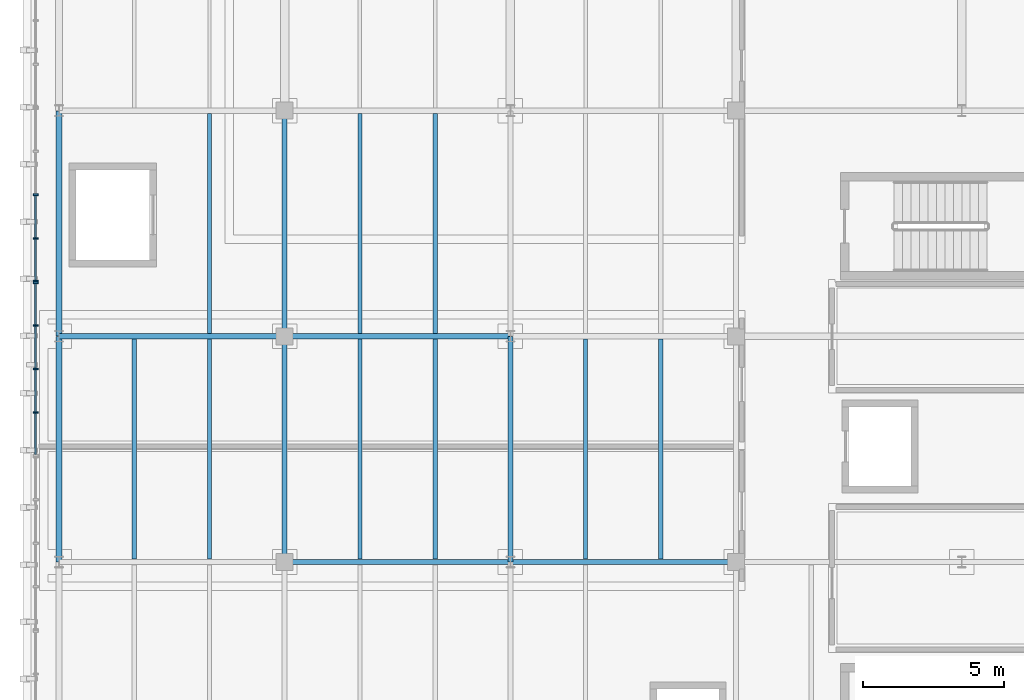
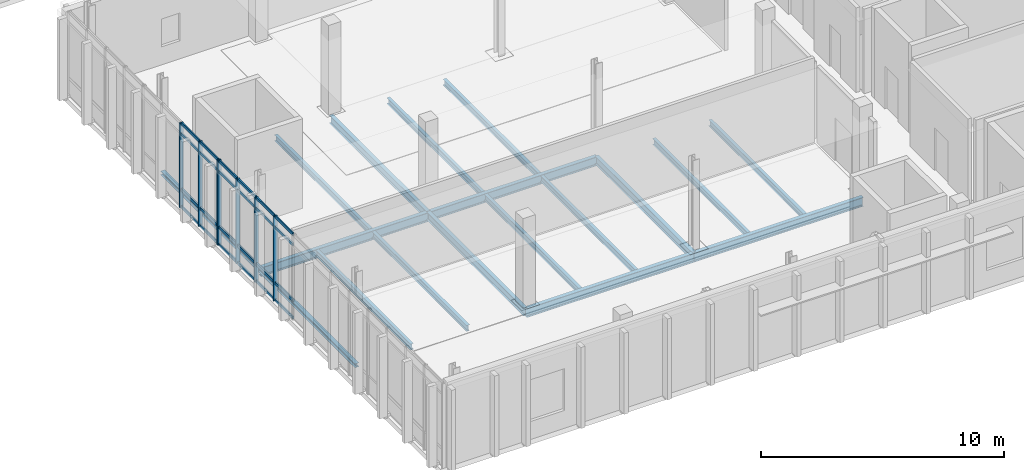
# One storey, part 22 of 100: 31 members, 18 beams, 2 elements without a shape of their own.
"""IFC4 building model written with IfcOpenShell, lengths in metres."""

from ifc_helpers import new_model, si_unit, direction, frame, origin, origin_2d, place, context, subcontext, project, spatial, rectangle, i_section, extrude, material, material_profile, profile_set, type_object, element, aggregate, save


model = new_model("IFC4")

# Units and contexts
model_context = context("Model", 3, precision=1e-05, world=origin(), true_north=direction((0.0, 1.0)))
body_context = subcontext(model_context, "Body", "Model", "MODEL_VIEW")
ifc_project = project(units=[si_unit("LENGTHUNIT", "METRE"), si_unit("AREAUNIT", "SQUARE_METRE"), si_unit("VOLUMEUNIT", "CUBIC_METRE"), si_unit("PLANEANGLEUNIT", "RADIAN"), si_unit("MASSUNIT", "GRAM", prefix="KILO")], contexts=[model_context])

# Site, building, storey
site_placement = place(None, origin())
site = spatial("IfcSite", under=ifc_project, at=site_placement, CompositionType="ELEMENT")
building_placement = place(site_placement, origin())
building = spatial("IfcBuilding", under=site, at=building_placement, Name="Cymarion Research Institute", CompositionType="ELEMENT")
storey_placement = place(building_placement, frame((0.0, 0.0, 9.300048828125)))
storey = spatial("IfcBuildingStorey", under=building, at=storey_placement, Name="L02", CompositionType="ELEMENT", Elevation=9.300048828125)

# Curtain wall, members
ifc_material_1 = material(Name="Anodised aluminium unitised curtain wall with Low-E glazing", Category="aluminium")
curtain_wall_type = type_object("IfcCurtainWallType", Name="UNITISED CURTAIN WALL CW22 6180X4250", PredefinedType="NOTDEFINED", material=ifc_material_1)
curtain_wall_1_placement = place(storey_placement, origin())
curtain_wall_1 = element("IfcCurtainWall", 1, at=curtain_wall_1_placement, inside=storey, type_object=curtain_wall_type, Name="L02 V4 unitised curtain wall CW22 #104", PredefinedType="NOTDEFINED")
ifc_material_2 = material(Name="Anodised aluminium framing", Category="aluminium")
ifc_material_profile_1 = material_profile(ifc_material_2, rectangle(XDim=0.06005859375, YDim=0.179931640625, at=origin_2d()), Name="ALU MULLION 60x180")
ifc_profile_set_1 = profile_set([ifc_material_profile_1], Name="Anodised aluminium framing")
member_type_1 = type_object("IfcMemberType", Name="CURTAIN WALL MULLION ML01 60X180", PredefinedType="MULLION", material=ifc_profile_set_1)
member_1_placement = place(storey_placement, frame((5.77001953125, 68.5146484375, 0.0), z_axis=(0.0, 0.0, 1.0), x_axis=(0.0, -1.0, 0.0)))
member_1 = element("IfcMember", 2, at=member_1_placement, type_object=member_type_1, Name="CW22 mullion 3", PredefinedType="MULLION", context=body_context, shape_type="SweptSolid", body=[
    extrude(rectangle(XDim=0.06005859375, YDim=0.179931640625, at=origin_2d()), origin(), (0.0, 0.0, 1.0), 4.25),
])
member_2_placement = place(storey_placement, frame((5.77001953125, 66.970703125, 0.0), z_axis=(0.0, 0.0, 1.0), x_axis=(0.0, -1.0, 0.0)))
member_2 = element("IfcMember", 3, at=member_2_placement, type_object=member_type_1, Name="CW22 mullion 4", PredefinedType="MULLION", context=body_context, shape_type="SweptSolid", body=[
    extrude(rectangle(XDim=0.06005859375, YDim=0.179931640625, at=origin_2d()), origin(), (0.0, 0.0, 1.0), 4.25),
])
member_3_placement = place(storey_placement, frame((5.77001953125, 65.456787109375, 0.0), z_axis=(0.0, 0.0, 1.0), x_axis=(0.0, -1.0, 0.0)))
member_3 = element("IfcMember", 4, at=member_3_placement, type_object=member_type_1, Name="CW22 mullion 5", PredefinedType="MULLION", context=body_context, shape_type="SweptSolid", body=[
    extrude(rectangle(XDim=0.06005859375, YDim=0.179931640625, at=origin_2d()), origin(), (0.0, 0.0, 1.0), 4.25),
])

curtain_wall_2_placement = place(storey_placement, origin())
curtain_wall_2 = element("IfcCurtainWall", 5, at=curtain_wall_2_placement, inside=storey, type_object=curtain_wall_type, Name="L02 V4 unitised curtain wall CW22 #105", PredefinedType="NOTDEFINED")
member_4_placement = place(storey_placement, frame((5.77001953125, 65.396728515625, 0.0), z_axis=(0.0, 0.0, 1.0), x_axis=(0.0, -1.0, 0.0)))
member_4 = element("IfcMember", 6, at=member_4_placement, type_object=member_type_1, Name="CW22 mullion 1", PredefinedType="MULLION", context=body_context, shape_type="SweptSolid", body=[
    extrude(rectangle(XDim=0.06005859375, YDim=0.179931640625, at=origin_2d()), origin(), (0.0, 0.0, 1.0), 4.25),
])
member_5_placement = place(storey_placement, frame((5.77001953125, 63.8828125, 0.0), z_axis=(0.0, 0.0, 1.0), x_axis=(0.0, -1.0, 0.0)))
member_5 = element("IfcMember", 7, at=member_5_placement, type_object=member_type_1, Name="CW22 mullion 2", PredefinedType="MULLION", context=body_context, shape_type="SweptSolid", body=[
    extrude(rectangle(XDim=0.06005859375, YDim=0.179931640625, at=origin_2d()), origin(), (0.0, 0.0, 1.0), 4.25),
])
member_6_placement = place(storey_placement, frame((5.77001953125, 62.339111328125, 0.0), z_axis=(0.0, 0.0, 1.0), x_axis=(0.0, -1.0, 0.0)))
member_6 = element("IfcMember", 8, at=member_6_placement, type_object=member_type_1, Name="CW22 mullion 3", PredefinedType="MULLION", context=body_context, shape_type="SweptSolid", body=[
    extrude(rectangle(XDim=0.06005859375, YDim=0.179931640625, at=origin_2d()), origin(), (0.0, 0.0, 1.0), 4.25),
])
member_7_placement = place(storey_placement, frame((5.77001953125, 60.795166015625, 0.0), z_axis=(0.0, 0.0, 1.0), x_axis=(0.0, -1.0, 0.0)))
member_7 = element("IfcMember", 9, at=member_7_placement, type_object=member_type_1, Name="CW22 mullion 4", PredefinedType="MULLION", context=body_context, shape_type="SweptSolid", body=[
    extrude(rectangle(XDim=0.06005859375, YDim=0.179931640625, at=origin_2d()), origin(), (0.0, 0.0, 1.0), 4.25),
])

# Member
ifc_material_profile_2 = material_profile(ifc_material_2, rectangle(XDim=0.06005859375, YDim=0.14990234375, at=origin_2d()), Name="ALU TRANSOM 60x150")
ifc_profile_set_2 = profile_set([ifc_material_profile_2], Name="Anodised aluminium framing")
member_type_2 = type_object("IfcMemberType", Name="CURTAIN WALL TRANSOM TR01 60X150", PredefinedType="USERDEFINED", material=ifc_profile_set_2)
member_8_placement = place(storey_placement, frame((5.77001953125, 68.484619140625, 0.030029296875), z_axis=(0.0, -1.0, 0.0), x_axis=(1.0, 0.0, 0.0)))
member_8 = element("IfcMember", 10, at=member_8_placement, type_object=member_type_2, Name="CW22 transom 3.1", ObjectType="TRANSOM", PredefinedType="USERDEFINED", context=body_context, shape_type="SweptSolid", body=[
    extrude(rectangle(XDim=0.06005859375, YDim=0.14990234375, at=origin_2d()), origin(), (0.0, 0.0, 1.0), 1.48388671875),
])

member_9_placement = place(storey_placement, frame((5.77001953125, 68.484619140625, 0.89990234375), z_axis=(0.0, -1.0, 0.0), x_axis=(1.0, 0.0, 0.0)))
member_9 = element("IfcMember", 11, at=member_9_placement, type_object=member_type_2, Name="CW22 transom 3.2", ObjectType="TRANSOM", PredefinedType="USERDEFINED", context=body_context, shape_type="SweptSolid", body=[
    extrude(rectangle(XDim=0.06005859375, YDim=0.14990234375, at=origin_2d()), origin(), (0.0, 0.0, 1.0), 1.48388671875),
])

member_10_placement = place(storey_placement, frame((5.77001953125, 68.484619140625, 3.699951171875), z_axis=(0.0, -1.0, 0.0), x_axis=(1.0, 0.0, 0.0)))
member_10 = element("IfcMember", 12, at=member_10_placement, type_object=member_type_2, Name="CW22 transom 3.3", ObjectType="TRANSOM", PredefinedType="USERDEFINED", context=body_context, shape_type="SweptSolid", body=[
    extrude(rectangle(XDim=0.06005859375, YDim=0.14990234375, at=origin_2d()), origin(), (0.0, 0.0, 1.0), 1.48388671875),
])

member_11_placement = place(storey_placement, frame((5.77001953125, 68.484619140625, 4.219970703125), z_axis=(0.0, -1.0, 0.0), x_axis=(1.0, 0.0, 0.0)))
member_11 = element("IfcMember", 13, at=member_11_placement, type_object=member_type_2, Name="CW22 transom 3.4", ObjectType="TRANSOM", PredefinedType="USERDEFINED", context=body_context, shape_type="SweptSolid", body=[
    extrude(rectangle(XDim=0.06005859375, YDim=0.14990234375, at=origin_2d()), origin(), (0.0, 0.0, 1.0), 1.48388671875),
])

member_12_placement = place(storey_placement, frame((5.77001953125, 66.940673828125, 0.030029296875), z_axis=(0.0, -1.0, 0.0), x_axis=(1.0, 0.0, 0.0)))
member_12 = element("IfcMember", 14, at=member_12_placement, type_object=member_type_2, Name="CW22 transom 4.1", ObjectType="TRANSOM", PredefinedType="USERDEFINED", context=body_context, shape_type="SweptSolid", body=[
    extrude(rectangle(XDim=0.06005859375, YDim=0.14990234375, at=origin_2d()), origin(), (0.0, 0.0, 1.0), 1.453857421875),
])

member_13_placement = place(storey_placement, frame((5.77001953125, 66.940673828125, 0.89990234375), z_axis=(0.0, -1.0, 0.0), x_axis=(1.0, 0.0, 0.0)))
member_13 = element("IfcMember", 15, at=member_13_placement, type_object=member_type_2, Name="CW22 transom 4.2", ObjectType="TRANSOM", PredefinedType="USERDEFINED", context=body_context, shape_type="SweptSolid", body=[
    extrude(rectangle(XDim=0.06005859375, YDim=0.14990234375, at=origin_2d()), origin(), (0.0, 0.0, 1.0), 1.453857421875),
])

member_14_placement = place(storey_placement, frame((5.77001953125, 66.940673828125, 3.699951171875), z_axis=(0.0, -1.0, 0.0), x_axis=(1.0, 0.0, 0.0)))
member_14 = element("IfcMember", 16, at=member_14_placement, type_object=member_type_2, Name="CW22 transom 4.3", ObjectType="TRANSOM", PredefinedType="USERDEFINED", context=body_context, shape_type="SweptSolid", body=[
    extrude(rectangle(XDim=0.06005859375, YDim=0.14990234375, at=origin_2d()), origin(), (0.0, 0.0, 1.0), 1.453857421875),
])

member_15_placement = place(storey_placement, frame((5.77001953125, 66.940673828125, 4.219970703125), z_axis=(0.0, -1.0, 0.0), x_axis=(1.0, 0.0, 0.0)))
member_15 = element("IfcMember", 17, at=member_15_placement, type_object=member_type_2, Name="CW22 transom 4.4", ObjectType="TRANSOM", PredefinedType="USERDEFINED", context=body_context, shape_type="SweptSolid", body=[
    extrude(rectangle(XDim=0.06005859375, YDim=0.14990234375, at=origin_2d()), origin(), (0.0, 0.0, 1.0), 1.453857421875),
])

aggregate(curtain_wall_1, [member_1, member_2, member_3, member_8, member_9, member_10, member_11, member_12, member_13, member_14, member_15])

member_16_placement = place(storey_placement, frame((5.77001953125, 65.36669921875, 0.030029296875), z_axis=(0.0, -1.0, 0.0), x_axis=(1.0, 0.0, 0.0)))
member_16 = element("IfcMember", 18, at=member_16_placement, type_object=member_type_2, Name="CW22 transom 1.1", ObjectType="TRANSOM", PredefinedType="USERDEFINED", context=body_context, shape_type="SweptSolid", body=[
    extrude(rectangle(XDim=0.06005859375, YDim=0.14990234375, at=origin_2d()), origin(), (0.0, 0.0, 1.0), 1.453857421875),
])

member_17_placement = place(storey_placement, frame((5.77001953125, 65.36669921875, 0.89990234375), z_axis=(0.0, -1.0, 0.0), x_axis=(1.0, 0.0, 0.0)))
member_17 = element("IfcMember", 19, at=member_17_placement, type_object=member_type_2, Name="CW22 transom 1.2", ObjectType="TRANSOM", PredefinedType="USERDEFINED", context=body_context, shape_type="SweptSolid", body=[
    extrude(rectangle(XDim=0.06005859375, YDim=0.14990234375, at=origin_2d()), origin(), (0.0, 0.0, 1.0), 1.453857421875),
])

member_18_placement = place(storey_placement, frame((5.77001953125, 65.36669921875, 3.699951171875), z_axis=(0.0, -1.0, 0.0), x_axis=(1.0, 0.0, 0.0)))
member_18 = element("IfcMember", 20, at=member_18_placement, type_object=member_type_2, Name="CW22 transom 1.3", ObjectType="TRANSOM", PredefinedType="USERDEFINED", context=body_context, shape_type="SweptSolid", body=[
    extrude(rectangle(XDim=0.06005859375, YDim=0.14990234375, at=origin_2d()), origin(), (0.0, 0.0, 1.0), 1.453857421875),
])

member_19_placement = place(storey_placement, frame((5.77001953125, 65.36669921875, 4.219970703125), z_axis=(0.0, -1.0, 0.0), x_axis=(1.0, 0.0, 0.0)))
member_19 = element("IfcMember", 21, at=member_19_placement, type_object=member_type_2, Name="CW22 transom 1.4", ObjectType="TRANSOM", PredefinedType="USERDEFINED", context=body_context, shape_type="SweptSolid", body=[
    extrude(rectangle(XDim=0.06005859375, YDim=0.14990234375, at=origin_2d()), origin(), (0.0, 0.0, 1.0), 1.453857421875),
])

member_20_placement = place(storey_placement, frame((5.77001953125, 63.852783203125, 0.030029296875), z_axis=(0.0, -1.0, 0.0), x_axis=(1.0, 0.0, 0.0)))
member_20 = element("IfcMember", 22, at=member_20_placement, type_object=member_type_2, Name="CW22 transom 2.1", ObjectType="TRANSOM", PredefinedType="USERDEFINED", context=body_context, shape_type="SweptSolid", body=[
    extrude(rectangle(XDim=0.06005859375, YDim=0.14990234375, at=origin_2d()), origin(), (0.0, 0.0, 1.0), 1.48388671875),
])

member_21_placement = place(storey_placement, frame((5.77001953125, 63.852783203125, 0.89990234375), z_axis=(0.0, -1.0, 0.0), x_axis=(1.0, 0.0, 0.0)))
member_21 = element("IfcMember", 23, at=member_21_placement, type_object=member_type_2, Name="CW22 transom 2.2", ObjectType="TRANSOM", PredefinedType="USERDEFINED", context=body_context, shape_type="SweptSolid", body=[
    extrude(rectangle(XDim=0.06005859375, YDim=0.14990234375, at=origin_2d()), origin(), (0.0, 0.0, 1.0), 1.48388671875),
])

member_22_placement = place(storey_placement, frame((5.77001953125, 63.852783203125, 3.699951171875), z_axis=(0.0, -1.0, 0.0), x_axis=(1.0, 0.0, 0.0)))
member_22 = element("IfcMember", 24, at=member_22_placement, type_object=member_type_2, Name="CW22 transom 2.3", ObjectType="TRANSOM", PredefinedType="USERDEFINED", context=body_context, shape_type="SweptSolid", body=[
    extrude(rectangle(XDim=0.06005859375, YDim=0.14990234375, at=origin_2d()), origin(), (0.0, 0.0, 1.0), 1.48388671875),
])

member_23_placement = place(storey_placement, frame((5.77001953125, 63.852783203125, 4.219970703125), z_axis=(0.0, -1.0, 0.0), x_axis=(1.0, 0.0, 0.0)))
member_23 = element("IfcMember", 25, at=member_23_placement, type_object=member_type_2, Name="CW22 transom 2.4", ObjectType="TRANSOM", PredefinedType="USERDEFINED", context=body_context, shape_type="SweptSolid", body=[
    extrude(rectangle(XDim=0.06005859375, YDim=0.14990234375, at=origin_2d()), origin(), (0.0, 0.0, 1.0), 1.48388671875),
])

member_24_placement = place(storey_placement, frame((5.77001953125, 62.30908203125, 0.030029296875), z_axis=(0.0, -1.0, 0.0), x_axis=(1.0, 0.0, 0.0)))
member_24 = element("IfcMember", 26, at=member_24_placement, type_object=member_type_2, Name="CW22 transom 3.1", ObjectType="TRANSOM", PredefinedType="USERDEFINED", context=body_context, shape_type="SweptSolid", body=[
    extrude(rectangle(XDim=0.06005859375, YDim=0.14990234375, at=origin_2d()), origin(), (0.0, 0.0, 1.0), 1.48388671875),
])

member_25_placement = place(storey_placement, frame((5.77001953125, 62.30908203125, 0.89990234375), z_axis=(0.0, -1.0, 0.0), x_axis=(1.0, 0.0, 0.0)))
member_25 = element("IfcMember", 27, at=member_25_placement, type_object=member_type_2, Name="CW22 transom 3.2", ObjectType="TRANSOM", PredefinedType="USERDEFINED", context=body_context, shape_type="SweptSolid", body=[
    extrude(rectangle(XDim=0.06005859375, YDim=0.14990234375, at=origin_2d()), origin(), (0.0, 0.0, 1.0), 1.48388671875),
])

member_26_placement = place(storey_placement, frame((5.77001953125, 62.30908203125, 3.699951171875), z_axis=(0.0, -1.0, 0.0), x_axis=(1.0, 0.0, 0.0)))
member_26 = element("IfcMember", 28, at=member_26_placement, type_object=member_type_2, Name="CW22 transom 3.3", ObjectType="TRANSOM", PredefinedType="USERDEFINED", context=body_context, shape_type="SweptSolid", body=[
    extrude(rectangle(XDim=0.06005859375, YDim=0.14990234375, at=origin_2d()), origin(), (0.0, 0.0, 1.0), 1.48388671875),
])

member_27_placement = place(storey_placement, frame((5.77001953125, 62.30908203125, 4.219970703125), z_axis=(0.0, -1.0, 0.0), x_axis=(1.0, 0.0, 0.0)))
member_27 = element("IfcMember", 29, at=member_27_placement, type_object=member_type_2, Name="CW22 transom 3.4", ObjectType="TRANSOM", PredefinedType="USERDEFINED", context=body_context, shape_type="SweptSolid", body=[
    extrude(rectangle(XDim=0.06005859375, YDim=0.14990234375, at=origin_2d()), origin(), (0.0, 0.0, 1.0), 1.48388671875),
])

member_28_placement = place(storey_placement, frame((5.77001953125, 60.76513671875, 0.030029296875), z_axis=(0.0, -1.0, 0.0), x_axis=(1.0, 0.0, 0.0)))
member_28 = element("IfcMember", 30, at=member_28_placement, type_object=member_type_2, Name="CW22 transom 4.1", ObjectType="TRANSOM", PredefinedType="USERDEFINED", context=body_context, shape_type="SweptSolid", body=[
    extrude(rectangle(XDim=0.06005859375, YDim=0.14990234375, at=origin_2d()), origin(), (0.0, 0.0, 1.0), 1.453857421875),
])

member_29_placement = place(storey_placement, frame((5.77001953125, 60.76513671875, 0.89990234375), z_axis=(0.0, -1.0, 0.0), x_axis=(1.0, 0.0, 0.0)))
member_29 = element("IfcMember", 31, at=member_29_placement, type_object=member_type_2, Name="CW22 transom 4.2", ObjectType="TRANSOM", PredefinedType="USERDEFINED", context=body_context, shape_type="SweptSolid", body=[
    extrude(rectangle(XDim=0.06005859375, YDim=0.14990234375, at=origin_2d()), origin(), (0.0, 0.0, 1.0), 1.453857421875),
])

member_30_placement = place(storey_placement, frame((5.77001953125, 60.76513671875, 3.699951171875), z_axis=(0.0, -1.0, 0.0), x_axis=(1.0, 0.0, 0.0)))
member_30 = element("IfcMember", 32, at=member_30_placement, type_object=member_type_2, Name="CW22 transom 4.3", ObjectType="TRANSOM", PredefinedType="USERDEFINED", context=body_context, shape_type="SweptSolid", body=[
    extrude(rectangle(XDim=0.06005859375, YDim=0.14990234375, at=origin_2d()), origin(), (0.0, 0.0, 1.0), 1.453857421875),
])

member_31_placement = place(storey_placement, frame((5.77001953125, 60.76513671875, 4.219970703125), z_axis=(0.0, -1.0, 0.0), x_axis=(1.0, 0.0, 0.0)))
member_31 = element("IfcMember", 33, at=member_31_placement, type_object=member_type_2, Name="CW22 transom 4.4", ObjectType="TRANSOM", PredefinedType="USERDEFINED", context=body_context, shape_type="SweptSolid", body=[
    extrude(rectangle(XDim=0.06005859375, YDim=0.14990234375, at=origin_2d()), origin(), (0.0, 0.0, 1.0), 1.453857421875),
])

aggregate(curtain_wall_2, [member_4, member_5, member_6, member_7, member_16, member_17, member_18, member_19, member_20, member_21, member_22, member_23, member_24, member_25, member_26, member_27, member_28, member_29, member_30, member_31])

# Beams
ifc_material_3 = material(Name="Steel S355", Category="steel")
ifc_material_profile_3 = material_profile(ifc_material_3, i_section(OverallWidth=0.18994140625, OverallDepth=0.449951171875, WebThickness=0.009521484375, FlangeThickness=0.0146484375, FilletRadius=0.02099609375, at=origin_2d()), Name="IPE 450")
ifc_profile_set_3 = profile_set([ifc_material_profile_3], Name="Steel S355")
beam_type_1 = type_object("IfcBeamType", Name="PRIMARY GIRDER BM04 IPE 450", PredefinedType="BEAM", material=ifc_profile_set_3)
for number, where, z_axis, x_axis, name in (
    (34, (14.60595703125, 55.5, -0.47509765625), (1.0, 0.0, 0.0), (0.0, 1.0, 0.0), "L02 V4 girder BM04 #1035"),
    (35, (22.60595703125, 55.5, -0.47509765625), (1.0, 0.0, 0.0), (0.0, 1.0, 0.0), "L02 V4 girder BM04 #1036"),
    (36, (6.60595703125, 63.5, -0.47509765625), (1.0, 0.0, 0.0), (0.0, 1.0, 0.0), "L02 V4 girder BM04 #1039"),
    (37, (14.60595703125, 63.5, -0.47509765625), (1.0, 0.0, 0.0), (0.0, 1.0, 0.0), "L02 V4 girder BM04 #1040"),
):
    element("IfcBeam", number, at=place(storey_placement, frame(where, z_axis=z_axis, x_axis=x_axis)), inside=storey, type_object=beam_type_1, Name=name, PredefinedType="BEAM", context=body_context, shape_type="SweptSolid", body=[
        extrude(i_section(OverallWidth=0.18994140625, OverallDepth=0.449951171875, WebThickness=0.009521484375, FlangeThickness=0.0146484375, FilletRadius=0.02099609375, at=origin_2d()), origin(), (0.0, 0.0, 1.0), 7.988037109375),
    ])
ifc_material_profile_4 = material_profile(ifc_material_3, i_section(OverallWidth=0.179931640625, OverallDepth=0.39990234375, WebThickness=0.008544921875, FlangeThickness=0.013427734375, FilletRadius=0.02099609375, at=origin_2d()), Name="IPE 400")
ifc_profile_set_4 = profile_set([ifc_material_profile_4], Name="Steel S355")
beam_type_2 = type_object("IfcBeamType", Name="PRIMARY GIRDER BM05 IPE 400", PredefinedType="BEAM", material=ifc_profile_set_4)
for number, where, z_axis, x_axis, name in (
    (38, (14.60009765625, 55.506103515625, -0.449951171875), (0.0, 1.0, 0.0), (-1.0, 0.0, 0.0), "L02 V4 girder BM05 #1059"),
    (39, (14.60009765625, 63.506103515625, -0.449951171875), (0.0, 1.0, 0.0), (-1.0, 0.0, 0.0), "L02 V4 girder BM05 #1060"),
    (40, (22.60009765625, 55.506103515625, -0.449951171875), (0.0, 1.0, 0.0), (-1.0, 0.0, 0.0), "L02 V4 girder BM05 #1063"),
):
    element("IfcBeam", number, at=place(storey_placement, frame(where, z_axis=z_axis, x_axis=x_axis)), inside=storey, type_object=beam_type_2, Name=name, PredefinedType="BEAM", context=body_context, shape_type="SweptSolid", body=[
        extrude(i_section(OverallWidth=0.179931640625, OverallDepth=0.39990234375, WebThickness=0.008544921875, FlangeThickness=0.013427734375, FilletRadius=0.02099609375, at=origin_2d()), origin(), (0.0, 0.0, 1.0), 7.98779296875),
    ])
ifc_material_profile_5 = material_profile(ifc_material_3, i_section(OverallWidth=0.14990234375, OverallDepth=0.300048828125, WebThickness=0.007080078125, FlangeThickness=0.0107421875, FilletRadius=0.014892578125, at=origin_2d()), Name="IPE 300")
ifc_profile_set_5 = profile_set([ifc_material_profile_5], Name="Steel S355")
beam_type_3 = type_object("IfcBeamType", Name="SECONDARY JOIST JS02 IPE 300", PredefinedType="JOIST", material=ifc_profile_set_5)
for number, where, z_axis, x_axis, name in (
    (41, (9.2666015625, 55.59912109375, -0.400146484375), (0.0, 1.0, 0.0), (-1.0, 0.0, 0.0), "L02 V4 secondary joist JS02 #1082"),
    (42, (11.933349609375, 55.59912109375, -0.400146484375), (0.0, 1.0, 0.0), (-1.0, 0.0, 0.0), "L02 V4 secondary joist JS02 #1083"),
    (43, (17.2666015625, 55.59912109375, -0.400146484375), (0.0, 1.0, 0.0), (-1.0, 0.0, 0.0), "L02 V4 secondary joist JS02 #1084"),
    (44, (19.933349609375, 55.59912109375, -0.400146484375), (0.0, 1.0, 0.0), (-1.0, 0.0, 0.0), "L02 V4 secondary joist JS02 #1085"),
    (45, (25.2666015625, 55.59912109375, -0.400146484375), (0.0, 1.0, 0.0), (-1.0, 0.0, 0.0), "L02 V4 secondary joist JS02 #1086"),
    (46, (27.933349609375, 55.59912109375, -0.400146484375), (0.0, 1.0, 0.0), (-1.0, 0.0, 0.0), "L02 V4 secondary joist JS02 #1087"),
    (47, (11.933349609375, 63.59912109375, -0.400146484375), (0.0, 1.0, 0.0), (-1.0, 0.0, 0.0), "L02 V4 secondary joist JS02 #1088"),
    (48, (17.2666015625, 63.59912109375, -0.400146484375), (0.0, 1.0, 0.0), (-1.0, 0.0, 0.0), "L02 V4 secondary joist JS02 #1089"),
    (49, (19.933349609375, 63.59912109375, -0.400146484375), (0.0, 1.0, 0.0), (-1.0, 0.0, 0.0), "L02 V4 secondary joist JS02 #1090"),
):
    element("IfcBeam", number, at=place(storey_placement, frame(where, z_axis=z_axis, x_axis=x_axis)), inside=storey, type_object=beam_type_3, Name=name, PredefinedType="JOIST", context=body_context, shape_type="SweptSolid", body=[
        extrude(i_section(OverallWidth=0.14990234375, OverallDepth=0.300048828125, WebThickness=0.007080078125, FlangeThickness=0.0107421875, FilletRadius=0.014892578125, at=origin_2d()), origin(), (0.0, 0.0, 1.0), 7.8017578125),
    ])
ifc_material_profile_6 = material_profile(ifc_material_3, i_section(OverallWidth=0.199951171875, OverallDepth=0.18994140625, WebThickness=0.006591796875, FlangeThickness=0.010009765625, FilletRadius=0.01806640625, at=origin_2d()), Name="HEA 200")
ifc_profile_set_6 = profile_set([ifc_material_profile_6], Name="Steel S355")
beam_type_4 = type_object("IfcBeamType", Name="SPANDREL BEAM SPB04 HEA 200", PredefinedType="SPANDREL", material=ifc_profile_set_6)
for number, where, z_axis, x_axis, name in (
    (50, (6.60009765625, 55.506103515625, -0.344970703125), (0.0, 1.0, 0.0), (-1.0, 0.0, 0.0), "L02 V4 girder SPB04 #1055"),
    (51, (6.60009765625, 63.506103515625, -0.344970703125), (0.0, 1.0, 0.0), (-1.0, 0.0, 0.0), "L02 V4 girder SPB04 #1056"),
):
    element("IfcBeam", number, at=place(storey_placement, frame(where, z_axis=z_axis, x_axis=x_axis)), inside=storey, type_object=beam_type_4, Name=name, PredefinedType="SPANDREL", context=body_context, shape_type="SweptSolid", body=[
        extrude(i_section(OverallWidth=0.199951171875, OverallDepth=0.18994140625, WebThickness=0.006591796875, FlangeThickness=0.010009765625, FilletRadius=0.01806640625, at=origin_2d()), origin(), (0.0, 0.0, 1.0), 7.98779296875),
    ])

save(model, "model.ifc")
